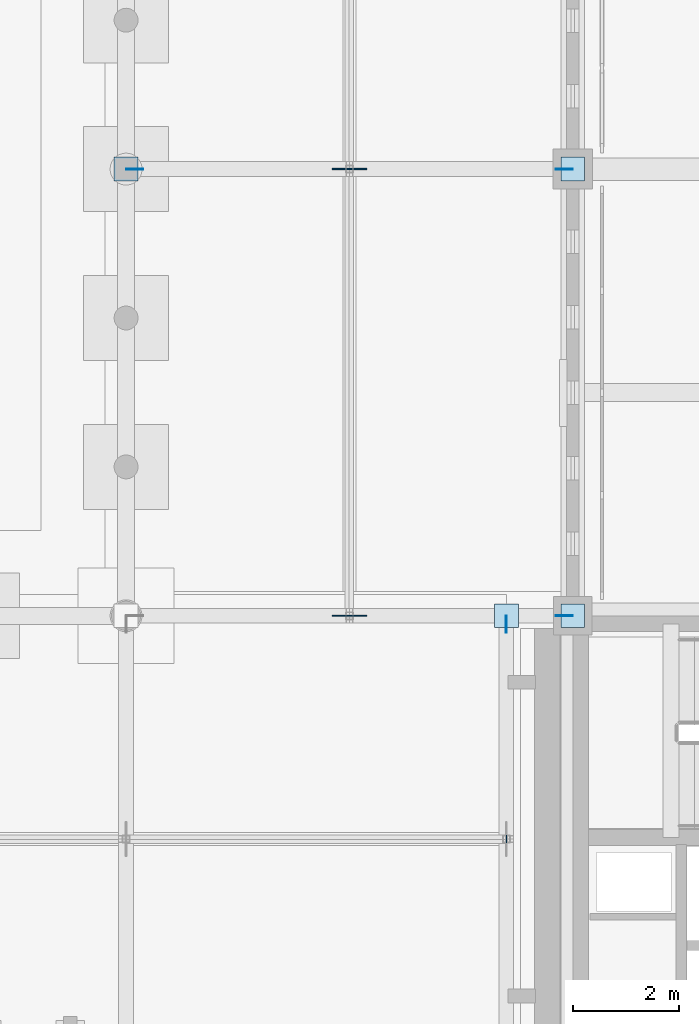
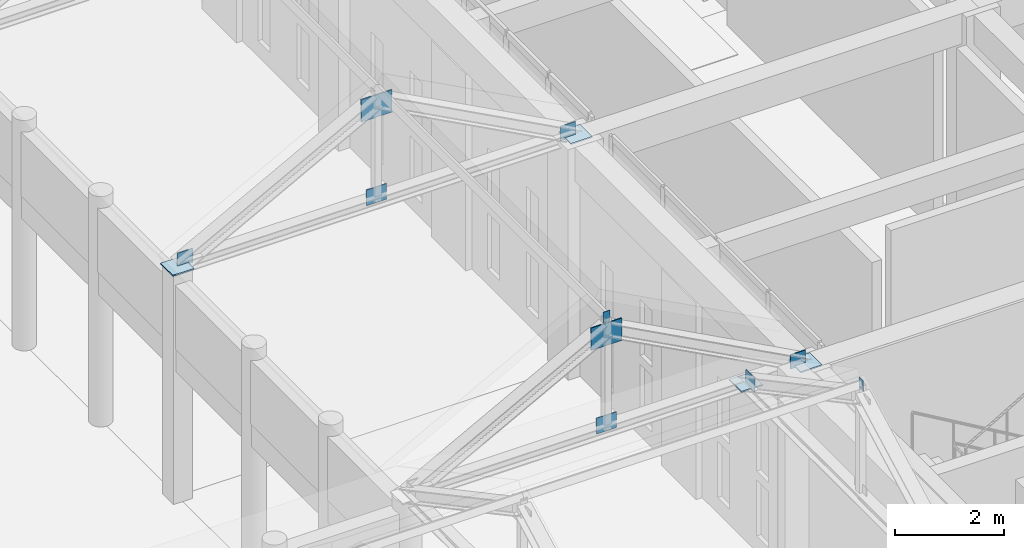
# One storey, part 95 of 143: 14 plates.
"""IFC4 building model written with IfcOpenShell, lengths in metres."""

from ifc_helpers import new_model, si_unit, direction, frame, origin, origin_2d, place, context, subcontext, project, spatial, rectangle, extrude, material, layer, layer_set, type_object, element, save


model = new_model("IFC4")

# Units and contexts
model_context = context("Model", 3, precision=1e-05, world=origin(), true_north=direction((0.0, 1.0)))
body_context = subcontext(model_context, "Body", "Model", "MODEL_VIEW")
ifc_project = project(units=[si_unit("LENGTHUNIT", "METRE"), si_unit("AREAUNIT", "SQUARE_METRE"), si_unit("VOLUMEUNIT", "CUBIC_METRE"), si_unit("PLANEANGLEUNIT", "RADIAN"), si_unit("MASSUNIT", "GRAM", prefix="KILO")], contexts=[model_context])

# Site, building, storey
site_placement = place(None, origin())
site = spatial("IfcSite", under=ifc_project, at=site_placement, CompositionType="ELEMENT")
building_placement = place(site_placement, origin())
building = spatial("IfcBuilding", under=site, at=building_placement, Name="Kveldsbrygga Polytechnic", CompositionType="ELEMENT")
storey_placement = place(building_placement, origin())
storey = spatial("IfcBuildingStorey", under=building, at=storey_placement, Name="L00", CompositionType="ELEMENT", Elevation=0.0)

# Plates
ifc_material = material(Name="Steel S355", Category="steel")
ifc_layer_1 = layer(ifc_material, 0.030029296875)
ifc_layer_set_1 = layer_set([ifc_layer_1], Name="Steel S355")
plate_type_1 = type_object("IfcPlateType", Name="CAP-BEAR-450", PredefinedType="SHEET", material=ifc_layer_set_1)
for number, where, z_axis, x_axis, name in (
    (1, (124.75, 33.60009765625, 5.10986328125), (0.0, 0.0, 1.0), (1.0, 0.0, 0.0), "Truss Bearing Plate ARC-ES-T07-B"),
    (2, (126.0, 33.60009765625, 5.10986328125), (0.0, 0.0, 1.0), (1.0, 0.0, 0.0), "Truss Bearing Plate ARC-EE-T01-B"),
    (3, (117.60009765625, 42.0, 5.10986328125), (0.0, 0.0, 1.0), (1.0, 0.0, 0.0), "Truss Bearing Plate ARC-EE-T02-A"),
    (4, (126.0, 42.0, 5.10986328125), (0.0, 0.0, 1.0), (1.0, 0.0, 0.0), "Truss Bearing Plate ARC-EE-T02-B"),
):
    element("IfcPlate", number, at=place(storey_placement, frame(where, z_axis=z_axis, x_axis=x_axis)), inside=storey, type_object=plate_type_1, Name=name, PredefinedType="SHEET", context=body_context, shape_type="SweptSolid", body=[
        extrude(rectangle(XDim=0.449951171875, YDim=0.449951171875, at=origin_2d()), origin(), (0.0, 0.0, 1.0), 0.030029296875),
    ])
ifc_layer_2 = layer(ifc_material, 0.011962890625)
ifc_layer_set_2 = layer_set([ifc_layer_2], Name="Steel S355")
plate_type_2 = type_object("IfcPlateType", Name="CAP-PRL-200", PredefinedType="SHEET", material=ifc_layer_set_2)
plate_1_placement = place(storey_placement, frame((124.756103515625, 29.39990234375, 7.513671875), z_axis=(0.0, 0.0, 1.0), x_axis=(1.0, 0.0, 0.0)))
element("IfcPlate", 5, at=plate_1_placement, inside=storey, type_object=plate_type_2, Name="Purlin End Cap Plate ARC-ES-EP-B-1", PredefinedType="SHEET", context=body_context, shape_type="SweptSolid", body=[
    extrude(rectangle(XDim=0.011962890625, YDim=0.139892578125, at=origin_2d()), origin(), (0.0, 0.0, 1.0), 0.239990234375),
])
plate_2_placement = place(storey_placement, frame((121.800048828125, 33.593994140625, 7.513671875), z_axis=(0.0, 0.0, 1.0), x_axis=(1.0, 0.0, 0.0)))
element("IfcPlate", 6, at=plate_2_placement, inside=storey, type_object=plate_type_2, Name="Purlin End Cap Plate ARC-EE-EP-A-1", PredefinedType="SHEET", context=body_context, shape_type="SweptSolid", body=[
    extrude(rectangle(XDim=0.139892578125, YDim=0.011962890625, at=origin_2d()), origin(), (0.0, 0.0, 1.0), 0.239990234375),
])
ifc_layer_3 = layer(ifc_material, 0.02490234375)
ifc_layer_set_3 = layer_set([ifc_layer_3], Name="Steel S355")
plate_type_3 = type_object("IfcPlateType", Name="GUS-APEX-650", PredefinedType="SHEET", material=ifc_layer_set_3)
for number, where, z_axis, x_axis, name in (
    (7, (121.800048828125, 33.60009765625, 6.989990234375), (0.0, 0.0, 1.0), (1.0, 0.0, 0.0), "Truss Gusset Plate ARC-EE-T01-GP-1"),
    (8, (121.800048828125, 42.0, 6.989990234375), (0.0, 0.0, 1.0), (1.0, 0.0, 0.0), "Truss Gusset Plate ARC-EE-T02-GP-1"),
):
    element("IfcPlate", number, at=place(storey_placement, frame(where, z_axis=z_axis, x_axis=x_axis)), inside=storey, type_object=plate_type_3, Name=name, PredefinedType="SHEET", context=body_context, shape_type="SweptSolid", body=[
        extrude(rectangle(XDim=0.64990234375, YDim=0.02490234375, at=origin_2d()), origin(), (0.0, 0.0, 1.0), 0.5),
    ])
ifc_layer_4 = layer(ifc_material, 0.01806640625)
ifc_layer_set_4 = layer_set([ifc_layer_4], Name="Steel S355")
plate_type_4 = type_object("IfcPlateType", Name="GUS-BRACE-320", PredefinedType="SHEET", material=ifc_layer_set_4)
plate_3_placement = place(storey_placement, frame((124.75, 33.43994140625, 5.10009765625), z_axis=(0.0, 0.0, 1.0), x_axis=(1.0, 0.0, 0.0)))
element("IfcPlate", 9, at=plate_3_placement, inside=storey, type_object=plate_type_4, Name="Truss Eaves Node Gusset ARC-ES-T07-EGP-B", PredefinedType="SHEET", context=body_context, shape_type="SweptSolid", body=[
    extrude(rectangle(XDim=0.01806640625, YDim=0.320068359375, at=origin_2d()), origin(), (0.0, 0.0, 1.0), 0.320068359375),
])
for number, where, z_axis, x_axis, name in (
    (10, (125.840087890625, 33.60009765625, 5.10009765625), (0.0, 0.0, 1.0), (1.0, 0.0, 0.0), "Truss Eaves Node Gusset ARC-EE-T01-EGP-B"),
    (11, (117.760009765625, 42.0, 5.10009765625), (0.0, 0.0, 1.0), (1.0, 0.0, 0.0), "Truss Eaves Node Gusset ARC-EE-T02-EGP-A"),
    (12, (125.840087890625, 42.0, 5.10009765625), (0.0, 0.0, 1.0), (1.0, 0.0, 0.0), "Truss Eaves Node Gusset ARC-EE-T02-EGP-B"),
):
    element("IfcPlate", number, at=place(storey_placement, frame(where, z_axis=z_axis, x_axis=x_axis)), inside=storey, type_object=plate_type_4, Name=name, PredefinedType="SHEET", context=body_context, shape_type="SweptSolid", body=[
        extrude(rectangle(XDim=0.320068359375, YDim=0.01806640625, at=origin_2d()), origin(), (0.0, 0.0, 1.0), 0.320068359375),
    ])
ifc_layer_5 = layer(ifc_material, 0.02001953125)
ifc_layer_set_5 = layer_set([ifc_layer_5], Name="Steel S355")
plate_type_5 = type_object("IfcPlateType", Name="GUS-LECT-420", PredefinedType="SHEET", material=ifc_layer_set_5)
for number, where, z_axis, x_axis, name in (
    (13, (121.800048828125, 33.60009765625, 5.0849609375), (0.0, 0.0, 1.0), (1.0, 0.0, 0.0), "Truss Bottom-Chord Node Gusset ARC-EE-T01-BGP-1"),
    (14, (121.800048828125, 42.0, 5.0849609375), (0.0, 0.0, 1.0), (1.0, 0.0, 0.0), "Truss Bottom-Chord Node Gusset ARC-EE-T02-BGP-1"),
):
    element("IfcPlate", number, at=place(storey_placement, frame(where, z_axis=z_axis, x_axis=x_axis)), inside=storey, type_object=plate_type_5, Name=name, PredefinedType="SHEET", context=body_context, shape_type="SweptSolid", body=[
        extrude(rectangle(XDim=0.419921875, YDim=0.02001953125, at=origin_2d()), origin(), (0.0, 0.0, 1.0), 0.35009765625),
    ])

save(model, "model.ifc")
